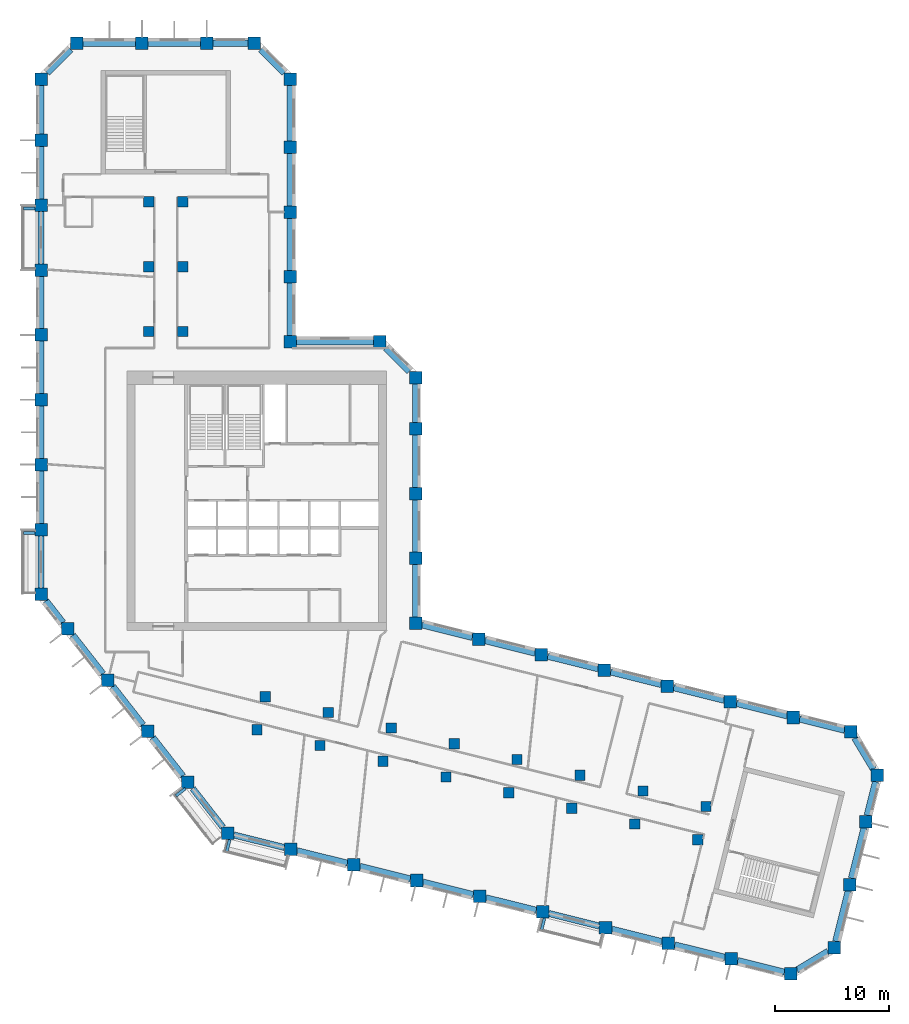
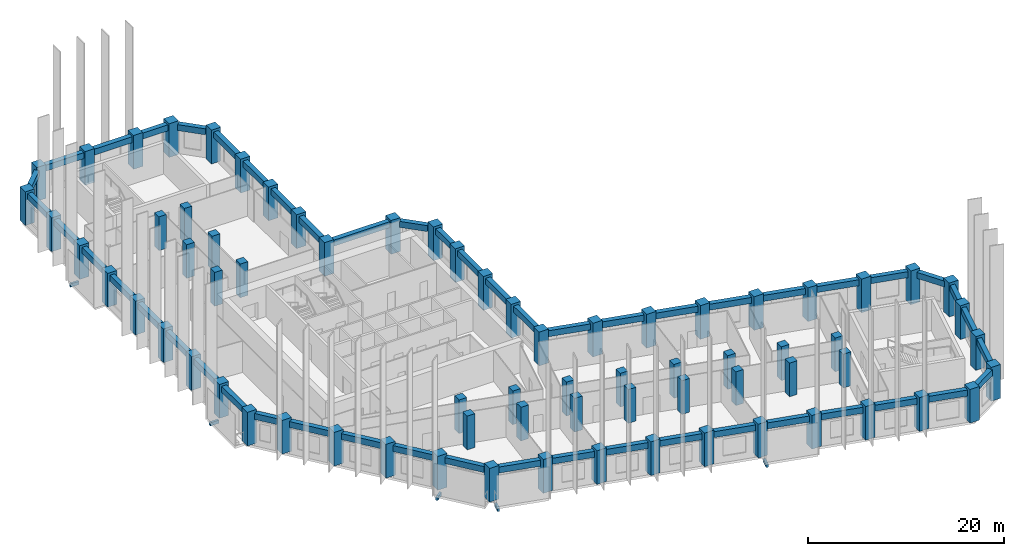
# One storey, part 1 of 10: 71 columns, 54 beams.
"""IFC4 building model written with IfcOpenShell, lengths in metres."""

from ifc_helpers import new_model, si_unit, direction, frame, origin, origin_2d, place, context, subcontext, project, spatial, rectangle, extrude, material, material_profile, profile_set, type_object, element, save


model = new_model("IFC4")

# Units and contexts
model_context = context("Model", 3, precision=1e-05, world=origin(), true_north=direction((0.0, 1.0)))
body_context = subcontext(model_context, "Body", "Model", "MODEL_VIEW")
ifc_project = project(units=[si_unit("LENGTHUNIT", "METRE"), si_unit("AREAUNIT", "SQUARE_METRE"), si_unit("VOLUMEUNIT", "CUBIC_METRE"), si_unit("PLANEANGLEUNIT", "RADIAN"), si_unit("MASSUNIT", "GRAM", prefix="KILO")], contexts=[model_context])

# Site, building, storey
site_placement = place(None, origin())
site = spatial("IfcSite", under=ifc_project, at=site_placement, CompositionType="ELEMENT")
building_placement = place(site_placement, origin())
building = spatial("IfcBuilding", under=site, at=building_placement, Name="Meshkara Civic Tower", CompositionType="ELEMENT")
storey_placement = place(building_placement, frame((0.0, 0.0, 225.60009765625)))
storey = spatial("IfcBuildingStorey", under=building, at=storey_placement, Name="L51", CompositionType="ELEMENT", Elevation=225.60009765625)

# Columns
ifc_material_1 = material(Name="Concrete C60", Category="concrete")
ifc_material_profile_1 = material_profile(ifc_material_1, rectangle(XDim=0.89990234375, YDim=0.89990234375, at=origin_2d()))
ifc_profile_set_1 = profile_set([ifc_material_profile_1], Name="Concrete C60")
column_type_1 = type_object("IfcColumnType", Name="Interior column RC 900x900 C60", PredefinedType="COLUMN", material=ifc_profile_set_1)
for number, where, z_axis, x_axis, name in (
    (1, (9.89990234375, 40.35009765625, 0.0), (0.0, 0.0, 1.0), (1.0, 0.0, 0.0), "Column SA1-04 L51"),
    (2, (9.89990234375, 46.050048828125, 0.0), (0.0, 0.0, 1.0), (1.0, 0.0, 0.0), "Column SA1-05 L51"),
    (3, (9.89990234375, 51.75, 0.0), (0.0, 0.0, 1.0), (1.0, 0.0, 0.0), "Column SA1-06 L51"),
    (4, (12.89990234375, 40.35009765625, 0.0), (0.0, 0.0, 1.0), (1.0, 0.0, 0.0), "Column SA2-04 L51"),
    (5, (12.89990234375, 46.050048828125, 0.0), (0.0, 0.0, 1.0), (1.0, 0.0, 0.0), "Column SA2-05 L51"),
    (6, (12.89990234375, 51.75, 0.0), (0.0, 0.0, 1.0), (1.0, 0.0, 0.0), "Column SA2-06 L51"),
    (7, (19.424072265625, 5.360107421875, 0.0), (0.0, 0.0, 1.0), (1.0, 0.0, 0.0), "Column SB1-00 L51"),
    (8, (24.9541015625, 3.98095703125, 0.0), (0.0, 0.0, 1.0), (1.0, 0.0, 0.0), "Column SB1-01 L51"),
    (9, (30.485107421875, 2.60205078125, 0.0), (0.0, 0.0, 1.0), (1.0, 0.0, 0.0), "Column SB1-02 L51"),
    (10, (36.01611328125, 1.222900390625, 0.0), (0.0, 0.0, 1.0), (1.0, 0.0, 0.0), "Column SB1-03 L51"),
    (11, (41.5458984375, -0.156005859375, 0.0), (0.0, 0.0, 1.0), (1.0, 0.0, 0.0), "Column SB1-04 L51"),
    (12, (47.076904296875, -1.534912109375, 0.0), (0.0, 0.0, 1.0), (1.0, 0.0, 0.0), "Column SB1-05 L51"),
    (13, (52.60791015625, -2.9140625, 0.0), (0.0, 0.0, 1.0), (1.0, 0.0, 0.0), "Column SB1-06 L51"),
    (14, (58.138916015625, -4.2919921875, 0.0), (0.0, 0.0, 1.0), (1.0, 0.0, 0.0), "Column SB1-07 L51"),
    (15, (20.14892578125, 8.27099609375, 0.0), (0.0, 0.0, 1.0), (1.0, 0.0, 0.0), "Column SB2-00 L51"),
    (16, (25.679931640625, 6.89208984375, 0.0), (0.0, 0.0, 1.0), (1.0, 0.0, 0.0), "Column SB2-01 L51"),
    (17, (31.2109375, 5.512939453125, 0.0), (0.0, 0.0, 1.0), (1.0, 0.0, 0.0), "Column SB2-02 L51"),
    (18, (36.741943359375, 4.134033203125, 0.0), (0.0, 0.0, 1.0), (1.0, 0.0, 0.0), "Column SB2-03 L51"),
    (19, (42.27197265625, 2.7548828125, 0.0), (0.0, 0.0, 1.0), (1.0, 0.0, 0.0), "Column SB2-04 L51"),
    (20, (47.802978515625, 1.3759765625, 0.0), (0.0, 0.0, 1.0), (1.0, 0.0, 0.0), "Column SB2-05 L51"),
    (21, (53.333984375, -0.0029296875, 0.0), (0.0, 0.0, 1.0), (1.0, 0.0, 0.0), "Column SB2-06 L51"),
    (22, (58.864013671875, -1.382080078125, 0.0), (0.0, 0.0, 1.0), (1.0, 0.0, 0.0), "Column SB2-07 L51"),
):
    element("IfcColumn", number, at=place(storey_placement, frame(where, z_axis=z_axis, x_axis=x_axis)), inside=storey, type_object=column_type_1, Name=name, PredefinedType="COLUMN", context=body_context, shape_type="SweptSolid", body=[
        extrude(rectangle(XDim=0.89990234375, YDim=0.89990234375, at=origin_2d()), origin(), (0.0, 0.0, 1.0), 4.199951171875),
    ])
ifc_material_2 = material(Name="Concrete C60", Category="concrete")
ifc_material_profile_2 = material_profile(ifc_material_2, rectangle(XDim=1.10009765625, YDim=1.10009765625, at=origin_2d()))
ifc_profile_set_2 = profile_set([ifc_material_profile_2], Name="Concrete C60")
column_type_2 = type_object("IfcColumnType", Name="Perimeter column RC 1100x1100 C60", PredefinedType="COLUMN", material=ifc_profile_set_2)
for number, where, z_axis, x_axis, name in (
    (23, (33.35009765625, 14.718994140625, 0.0), (0.0, 0.0, 1.0), (1.0, 0.0, 0.0), "Column HE00 L51"),
    (24, (33.35009765625, 20.4189453125, 0.0), (0.0, 0.0, 1.0), (1.0, 0.0, 0.0), "Column HE01 L51"),
    (25, (33.35009765625, 26.118896484375, 0.0), (0.0, 0.0, 1.0), (1.0, 0.0, 0.0), "Column HE02 L51"),
    (26, (33.35009765625, 31.819091796875, 0.0), (0.0, 0.0, 1.0), (1.0, 0.0, 0.0), "Column HE03 L51"),
    (27, (33.35009765625, 36.2939453125, 0.0), (0.0, 0.0, 1.0), (1.0, 0.0, 0.0), "Column HEE L51"),
    (28, (30.194091796875, 39.449951171875, 0.0), (0.0, 0.0, 1.0), (1.0, 0.0, 0.0), "Column HCeE L51"),
    (29, (22.35009765625, 39.449951171875, 0.0), (0.0, 0.0, 1.0), (1.0, 0.0, 0.0), "Column HN00 L51"),
    (30, (22.35009765625, 45.14990234375, 0.0), (0.0, 0.0, 1.0), (1.0, 0.0, 0.0), "Column AE01 L51"),
    (31, (22.35009765625, 50.85009765625, 0.0), (0.0, 0.0, 1.0), (1.0, 0.0, 0.0), "Column AE02 L51"),
    (32, (22.35009765625, 56.550048828125, 0.0), (0.0, 0.0, 1.0), (1.0, 0.0, 0.0), "Column AE03 L51"),
    (33, (22.35009765625, 62.513916015625, 0.0), (0.0, 0.0, 1.0), (1.0, 0.0, 0.0), "Column AEEP3 L51"),
    (34, (19.194091796875, 65.669921875, 0.0), (0.0, 0.0, 1.0), (1.0, 0.0, 0.0), "Column ATiEP3 L51"),
    (35, (3.60595703125, 65.669921875, 0.0), (0.0, 0.0, 1.0), (1.0, 0.0, 0.0), "Column AT00-P3 L51"),
    (36, (9.305908203125, 65.669921875, 0.0), (0.0, 0.0, 1.0), (1.0, 0.0, 0.0), "Column AT01-P3 L51"),
    (37, (15.006103515625, 65.669921875, 0.0), (0.0, 0.0, 1.0), (1.0, 0.0, 0.0), "Column AT02-P3 L51"),
    (38, (0.449951171875, 62.513916015625, 0.0), (0.0, 0.0, 1.0), (1.0, 0.0, 0.0), "Column ATo00-P3 L51"),
    (39, (0.449951171875, 17.2548828125, 0.0), (0.0, 0.0, 1.0), (1.0, 0.0, 0.0), "Column AW00 L51"),
    (40, (0.449951171875, 22.955078125, 0.0), (0.0, 0.0, 1.0), (1.0, 0.0, 0.0), "Column AW01 L51"),
    (41, (0.449951171875, 28.655029296875, 0.0), (0.0, 0.0, 1.0), (1.0, 0.0, 0.0), "Column AW02 L51"),
    (42, (0.449951171875, 34.35498046875, 0.0), (0.0, 0.0, 1.0), (1.0, 0.0, 0.0), "Column AW03 L51"),
    (43, (0.449951171875, 40.054931640625, 0.0), (0.0, 0.0, 1.0), (1.0, 0.0, 0.0), "Column AW04 L51"),
    (44, (0.449951171875, 45.7548828125, 0.0), (0.0, 0.0, 1.0), (1.0, 0.0, 0.0), "Column AW05 L51"),
    (45, (0.449951171875, 51.455078125, 0.0), (0.0, 0.0, 1.0), (1.0, 0.0, 0.0), "Column AW06 L51"),
    (46, (0.449951171875, 57.155029296875, 0.0), (0.0, 0.0, 1.0), (1.0, 0.0, 0.0), "Column AW07 L51"),
    (47, (16.85107421875, -3.738037109375, 0.0), (0.0, 0.0, 1.0), (1.0, 0.0, 0.0), "Column BOW00 L51"),
    (48, (13.342041015625, 0.75390625, 0.0), (0.0, 0.0, 1.0), (1.0, 0.0, 0.0), "Column BOW01 L51"),
    (49, (9.8330078125, 5.2451171875, 0.0), (0.0, 0.0, 1.0), (1.0, 0.0, 0.0), "Column BOW02 L51"),
    (50, (6.322998046875, 9.737060546875, 0.0), (0.0, 0.0, 1.0), (1.0, 0.0, 0.0), "Column BOW03 L51"),
    (51, (2.81396484375, 14.22900390625, 0.0), (0.0, 0.0, 1.0), (1.0, 0.0, 0.0), "Column BOW04 L51"),
    (52, (22.382080078125, -5.116943359375, 0.0), (0.0, 0.0, 1.0), (1.0, 0.0, 0.0), "Column BS01 L51"),
    (53, (27.912109375, -6.49609375, 0.0), (0.0, 0.0, 1.0), (1.0, 0.0, 0.0), "Column BS02 L51"),
    (54, (33.443115234375, -7.875, 0.0), (0.0, 0.0, 1.0), (1.0, 0.0, 0.0), "Column BS03 L51"),
    (55, (38.97412109375, -9.2529296875, 0.0), (0.0, 0.0, 1.0), (1.0, 0.0, 0.0), "Column BS04-P1 L51"),
    (56, (44.5048828125, -10.632080078125, 0.0), (0.0, 0.0, 1.0), (1.0, 0.0, 0.0), "Column BS05 L51"),
    (57, (50.034912109375, -12.010986328125, 0.0), (0.0, 0.0, 1.0), (1.0, 0.0, 0.0), "Column BS06 L51"),
    (58, (55.56591796875, -13.389892578125, 0.0), (0.0, 0.0, 1.0), (1.0, 0.0, 0.0), "Column BS07 L51"),
    (59, (61.096923828125, -14.76904296875, 0.0), (0.0, 0.0, 1.0), (1.0, 0.0, 0.0), "Column BS08 L51"),
    (60, (66.2958984375, -16.06494140625, 0.0), (0.0, 0.0, 1.0), (1.0, 0.0, 0.0), "Column BSEP3 L51"),
    (61, (70.1220703125, -13.76611328125, 0.0), (0.0, 0.0, 1.0), (1.0, 0.0, 0.0), "Column BToEP3 L51"),
    (62, (71.5009765625, -8.235107421875, 0.0), (0.0, 0.0, 1.0), (1.0, 0.0, 0.0), "Column BT01-P3 L51"),
    (63, (72.8798828125, -2.705078125, 0.0), (0.0, 0.0, 1.0), (1.0, 0.0, 0.0), "Column BT02-P3 L51"),
    (64, (73.89306640625, 1.35791015625, 0.0), (0.0, 0.0, 1.0), (1.0, 0.0, 0.0), "Column BTEP3 L51"),
    (65, (71.593994140625, 5.18310546875, 0.0), (0.0, 0.0, 1.0), (1.0, 0.0, 0.0), "Column BTi00-P3 L51"),
    (66, (38.881103515625, 13.340087890625, 0.0), (0.0, 0.0, 1.0), (1.0, 0.0, 0.0), "Column BN01 L51"),
    (67, (44.410888671875, 11.9609375, 0.0), (0.0, 0.0, 1.0), (1.0, 0.0, 0.0), "Column BN02 L51"),
    (68, (49.94189453125, 10.58203125, 0.0), (0.0, 0.0, 1.0), (1.0, 0.0, 0.0), "Column BN03 L51"),
    (69, (55.472900390625, 9.202880859375, 0.0), (0.0, 0.0, 1.0), (1.0, 0.0, 0.0), "Column BN04 L51"),
    (70, (61.0029296875, 7.823974609375, 0.0), (0.0, 0.0, 1.0), (1.0, 0.0, 0.0), "Column BN05 L51"),
    (71, (66.533935546875, 6.445068359375, 0.0), (0.0, 0.0, 1.0), (1.0, 0.0, 0.0), "Column BN06 L51"),
):
    element("IfcColumn", number, at=place(storey_placement, frame(where, z_axis=z_axis, x_axis=x_axis)), inside=storey, type_object=column_type_2, Name=name, PredefinedType="COLUMN", context=body_context, shape_type="SweptSolid", body=[
        extrude(rectangle(XDim=1.10009765625, YDim=1.10009765625, at=origin_2d()), origin(), (0.0, 0.0, 1.0), 4.199951171875),
    ])

# Beams
ifc_material_3 = material(Name="Concrete C50", Category="concrete")
ifc_material_profile_3 = material_profile(ifc_material_3, rectangle(XDim=0.25, YDim=0.39990234375, at=origin_2d()))
ifc_profile_set_3 = profile_set([ifc_material_profile_3], Name="Concrete C50")
beam_type_1 = type_object("IfcBeamType", Name="Balcony bracket beam RC 250x400 C50", PredefinedType="BEAM", material=ifc_profile_set_3)
for number, where, z_axis, x_axis, name in (
    (72, (-0.094970703125, 51.155029296875, -0.5), (-1.0, 0.0, 0.0), (0.0, -1.0, 0.0), "Balcony bracket beam"),
    (73, (-0.094970703125, 22.655029296875, -0.5), (-1.0, 0.0, 0.0), (0.0, -1.0, 0.0), "Balcony bracket beam"),
):
    element("IfcBeam", number, at=place(storey_placement, frame(where, z_axis=z_axis, x_axis=x_axis)), inside=storey, type_object=beam_type_1, Name=name, PredefinedType="BEAM", context=body_context, shape_type="SweptSolid", body=[
        extrude(rectangle(XDim=0.25, YDim=0.39990234375, at=origin_2d()), origin(), (0.0, 0.0, 1.0), 1.005126953125),
    ])
beam_1_placement = place(storey_placement, frame((13.12890625, 0.20703125, -0.5), z_axis=(-0.787879244592, -0.615829762143, 0.0), x_axis=(0.615829762143, -0.787879244592, 0.0)))
element("IfcBeam", 74, at=beam_1_placement, inside=storey, type_object=beam_type_1, Name="Balcony bracket beam", PredefinedType="BEAM", context=body_context, shape_type="SweptSolid", body=[
    extrude(rectangle(XDim=0.25, YDim=0.39990234375, at=origin_2d()), origin(), (0.0, 0.0, 1.0), 1.0458984375),
])
beam_2_placement = place(storey_placement, frame((17.02392578125, -4.282958984375, -0.5), z_axis=(-0.241724565462, -0.970344904893, 0.0), x_axis=(0.970344904893, -0.241724565462, 0.0)))
element("IfcBeam", 75, at=beam_2_placement, inside=storey, type_object=beam_type_1, Name="Balcony bracket beam", PredefinedType="BEAM", context=body_context, shape_type="SweptSolid", body=[
    extrude(rectangle(XDim=0.25, YDim=0.39990234375, at=origin_2d()), origin(), (0.0, 0.0, 1.0), 1.0625),
])
beam_3_placement = place(storey_placement, frame((44.677978515625, -11.177001953125, -0.5), z_axis=(-0.241725333206, -0.970344713639, 0.0), x_axis=(0.970344713639, -0.241725333206, 0.0)))
element("IfcBeam", 76, at=beam_3_placement, inside=storey, type_object=beam_type_1, Name="Balcony bracket beam", PredefinedType="BEAM", context=body_context, shape_type="SweptSolid", body=[
    extrude(rectangle(XDim=0.25, YDim=0.39990234375, at=origin_2d()), origin(), (0.0, 0.0, 1.0), 1.0634765625),
])
ifc_material_4 = material(Name="Concrete C60", Category="concrete")
ifc_material_profile_4 = material_profile(ifc_material_4, rectangle(XDim=0.550048828125, YDim=0.75, at=origin_2d()))
ifc_profile_set_4 = profile_set([ifc_material_profile_4], Name="Concrete C60")
beam_type_2 = type_object("IfcBeamType", Name="Spandrel beam RC 550x750 C60", PredefinedType="BEAM", material=ifc_profile_set_4)
beam_4_placement = place(storey_placement, frame((65.989013671875, 6.580810546875, 3.52490234375), z_axis=(-0.970299186733, 0.241908016044, 0.0), x_axis=(-0.241908016044, -0.970299186733, 0.0)))
element("IfcBeam", 77, at=beam_4_placement, inside=storey, type_object=beam_type_2, Name="Spandrel beam BN05-BN06", PredefinedType="BEAM", context=body_context, shape_type="SweptSolid", body=[
    extrude(rectangle(XDim=0.550048828125, YDim=0.75, at=origin_2d()), origin(), (0.0, 0.0, 1.0), 4.576904296875),
])
beam_5_placement = place(storey_placement, frame((60.4580078125, 7.9599609375, 3.52490234375), z_axis=(-0.970286696562, 0.241958108925, 0.0), x_axis=(-0.241958108925, -0.970286696562, 0.0)))
element("IfcBeam", 78, at=beam_5_placement, inside=storey, type_object=beam_type_2, Name="Spandrel beam BN04-BN05", PredefinedType="BEAM", context=body_context, shape_type="SweptSolid", body=[
    extrude(rectangle(XDim=0.550048828125, YDim=0.75, at=origin_2d()), origin(), (0.0, 0.0, 1.0), 4.575927734375),
])
for number, where, z_axis, x_axis, name in (
    (79, (54.927978515625, 9.3388671875, 3.52490234375), (-0.970299186733, 0.241908016044, 0.0), (-0.241908016044, -0.970299186733, 0.0), "Spandrel beam BN03-BN04"),
    (80, (49.39697265625, 10.718017578125, 3.52490234375), (-0.970299186733, 0.241908016044, 0.0), (-0.241908016044, -0.970299186733, 0.0), "Spandrel beam BN02-BN03"),
):
    element("IfcBeam", number, at=place(storey_placement, frame(where, z_axis=z_axis, x_axis=x_axis)), inside=storey, type_object=beam_type_2, Name=name, PredefinedType="BEAM", context=body_context, shape_type="SweptSolid", body=[
        extrude(rectangle(XDim=0.550048828125, YDim=0.75, at=origin_2d()), origin(), (0.0, 0.0, 1.0), 4.576904296875),
    ])
beam_6_placement = place(storey_placement, frame((43.865966796875, 12.096923828125, 3.52490234375), z_axis=(-0.970286696562, 0.241958108925, 0.0), x_axis=(-0.241958108925, -0.970286696562, 0.0)))
element("IfcBeam", 81, at=beam_6_placement, inside=storey, type_object=beam_type_2, Name="Spandrel beam BN01-BN02", PredefinedType="BEAM", context=body_context, shape_type="SweptSolid", body=[
    extrude(rectangle(XDim=0.550048828125, YDim=0.75, at=origin_2d()), origin(), (0.0, 0.0, 1.0), 4.575927734375),
])
beam_7_placement = place(storey_placement, frame((38.3359375, 13.475830078125, 3.52490234375), z_axis=(-0.970299186733, 0.241908016044, 0.0), x_axis=(-0.241908016044, -0.970299186733, 0.0)))
element("IfcBeam", 82, at=beam_7_placement, inside=storey, type_object=beam_type_2, Name="Spandrel beam BN01-HE00", PredefinedType="BEAM", context=body_context, shape_type="SweptSolid", body=[
    extrude(rectangle(XDim=0.550048828125, YDim=0.75, at=origin_2d()), origin(), (0.0, 0.0, 1.0), 4.576904296875),
])
beam_8_placement = place(storey_placement, frame((33.35009765625, 15.263916015625, 3.52490234375), z_axis=(0.0, 1.0, 0.0), x_axis=(-1.0, 0.0, 0.0)))
element("IfcBeam", 83, at=beam_8_placement, inside=storey, type_object=beam_type_2, Name="Spandrel beam HE00-HE01", PredefinedType="BEAM", context=body_context, shape_type="SweptSolid", body=[
    extrude(rectangle(XDim=0.550048828125, YDim=0.75, at=origin_2d()), origin(), (0.0, 0.0, 1.0), 4.610107421875),
])
for number, where, z_axis, x_axis, name in (
    (84, (33.35009765625, 20.964111328125, 3.52490234375), (0.0, 1.0, 0.0), (-1.0, 0.0, 0.0), "Spandrel beam HE01-HE02"),
    (85, (33.35009765625, 26.6640625, 3.52490234375), (0.0, 1.0, 0.0), (-1.0, 0.0, 0.0), "Spandrel beam HE02-HE03"),
):
    element("IfcBeam", number, at=place(storey_placement, frame(where, z_axis=z_axis, x_axis=x_axis)), inside=storey, type_object=beam_type_2, Name=name, PredefinedType="BEAM", context=body_context, shape_type="SweptSolid", body=[
        extrude(rectangle(XDim=0.550048828125, YDim=0.75, at=origin_2d()), origin(), (0.0, 0.0, 1.0), 4.60986328125),
    ])
beam_9_placement = place(storey_placement, frame((33.35009765625, 32.364013671875, 3.52490234375), z_axis=(0.0, 1.0, 0.0), x_axis=(-1.0, 0.0, 0.0)))
element("IfcBeam", 86, at=beam_9_placement, inside=storey, type_object=beam_type_2, Name="Spandrel beam HE03-HEE", PredefinedType="BEAM", context=body_context, shape_type="SweptSolid", body=[
    extrude(rectangle(XDim=0.550048828125, YDim=0.75, at=origin_2d()), origin(), (0.0, 0.0, 1.0), 3.385009765625),
])
beam_10_placement = place(storey_placement, frame((32.803466796875, 36.840576171875, 3.52490234375), z_axis=(-0.707106781187, 0.707106781187, 0.0), x_axis=(-0.707106781187, -0.707106781187, 0.0)))
element("IfcBeam", 87, at=beam_10_placement, inside=storey, type_object=beam_type_2, Name="Spandrel beam HCeE-HEE", PredefinedType="BEAM", context=body_context, shape_type="SweptSolid", body=[
    extrude(rectangle(XDim=0.550048828125, YDim=0.75, at=origin_2d()), origin(), (0.0, 0.0, 1.0), 2.91748046875),
])
beam_11_placement = place(storey_placement, frame((29.64892578125, 39.449951171875, 3.52490234375), z_axis=(-1.0, 0.0, 0.0), x_axis=(0.0, -1.0, 0.0)))
element("IfcBeam", 88, at=beam_11_placement, inside=storey, type_object=beam_type_2, Name="Spandrel beam HCeE-HN00", PredefinedType="BEAM", context=body_context, shape_type="SweptSolid", body=[
    extrude(rectangle(XDim=0.550048828125, YDim=0.75, at=origin_2d()), origin(), (0.0, 0.0, 1.0), 6.75390625),
])
for number, where, z_axis, x_axis, name in (
    (89, (22.35009765625, 39.9951171875, 3.52490234375), (0.0, 1.0, 0.0), (-1.0, 0.0, 0.0), "Spandrel beam AE01-HN00"),
    (90, (22.35009765625, 45.695068359375, 3.52490234375), (0.0, 1.0, 0.0), (-1.0, 0.0, 0.0), "Spandrel beam AE01-AE02"),
    (91, (22.35009765625, 51.39501953125, 3.52490234375), (0.0, 1.0, 0.0), (-1.0, 0.0, 0.0), "Spandrel beam AE02-AE03"),
):
    element("IfcBeam", number, at=place(storey_placement, frame(where, z_axis=z_axis, x_axis=x_axis)), inside=storey, type_object=beam_type_2, Name=name, PredefinedType="BEAM", context=body_context, shape_type="SweptSolid", body=[
        extrude(rectangle(XDim=0.550048828125, YDim=0.75, at=origin_2d()), origin(), (0.0, 0.0, 1.0), 4.60986328125),
    ])
beam_12_placement = place(storey_placement, frame((22.35009765625, 57.094970703125, 3.52490234375), z_axis=(0.0, 1.0, 0.0), x_axis=(-1.0, 0.0, 0.0)))
element("IfcBeam", 92, at=beam_12_placement, inside=storey, type_object=beam_type_2, Name="Spandrel beam AE03-AEEP3", PredefinedType="BEAM", context=body_context, shape_type="SweptSolid", body=[
    extrude(rectangle(XDim=0.550048828125, YDim=0.75, at=origin_2d()), origin(), (0.0, 0.0, 1.0), 4.8740234375),
])
beam_13_placement = place(storey_placement, frame((21.803466796875, 63.060546875, 3.52490234375), z_axis=(-0.707106781187, 0.707106781187, 0.0), x_axis=(-0.707106781187, -0.707106781187, 0.0)))
element("IfcBeam", 93, at=beam_13_placement, inside=storey, type_object=beam_type_2, Name="Spandrel beam AEEP3-ATiEP3", PredefinedType="BEAM", context=body_context, shape_type="SweptSolid", body=[
    extrude(rectangle(XDim=0.550048828125, YDim=0.75, at=origin_2d()), origin(), (0.0, 0.0, 1.0), 2.91748046875),
])
beam_14_placement = place(storey_placement, frame((18.64892578125, 65.669921875, 3.52490234375), z_axis=(-1.0, 0.0, 0.0), x_axis=(0.0, -1.0, 0.0)))
element("IfcBeam", 94, at=beam_14_placement, inside=storey, type_object=beam_type_2, Name="Spandrel beam AT02-P3-ATiEP3", PredefinedType="BEAM", context=body_context, shape_type="SweptSolid", body=[
    extrude(rectangle(XDim=0.550048828125, YDim=0.75, at=origin_2d()), origin(), (0.0, 0.0, 1.0), 3.097900390625),
])
beam_15_placement = place(storey_placement, frame((14.4609375, 65.669921875, 3.52490234375), z_axis=(-1.0, 0.0, 0.0), x_axis=(0.0, -1.0, 0.0)))
element("IfcBeam", 95, at=beam_15_placement, inside=storey, type_object=beam_type_2, Name="Spandrel beam AT01-P3-AT02-P3", PredefinedType="BEAM", context=body_context, shape_type="SweptSolid", body=[
    extrude(rectangle(XDim=0.550048828125, YDim=0.75, at=origin_2d()), origin(), (0.0, 0.0, 1.0), 4.60986328125),
])
beam_16_placement = place(storey_placement, frame((8.760986328125, 65.669921875, 3.52490234375), z_axis=(-1.0, 0.0, 0.0), x_axis=(0.0, -1.0, 0.0)))
element("IfcBeam", 96, at=beam_16_placement, inside=storey, type_object=beam_type_2, Name="Spandrel beam AT00-P3-AT01-P3", PredefinedType="BEAM", context=body_context, shape_type="SweptSolid", body=[
    extrude(rectangle(XDim=0.550048828125, YDim=0.75, at=origin_2d()), origin(), (0.0, 0.0, 1.0), 4.610107421875),
])
beam_17_placement = place(storey_placement, frame((3.0595703125, 65.12353515625, 3.52490234375), z_axis=(-0.707106781187, -0.707106781187, 0.0), x_axis=(0.707106781187, -0.707106781187, 0.0)))
element("IfcBeam", 97, at=beam_17_placement, inside=storey, type_object=beam_type_2, Name="Spandrel beam AT00-P3-ATo00-P3", PredefinedType="BEAM", context=body_context, shape_type="SweptSolid", body=[
    extrude(rectangle(XDim=0.550048828125, YDim=0.75, at=origin_2d()), origin(), (0.0, 0.0, 1.0), 2.91748046875),
])
beam_18_placement = place(storey_placement, frame((0.449951171875, 61.968994140625, 3.52490234375), z_axis=(0.0, -1.0, 0.0), x_axis=(1.0, 0.0, 0.0)))
element("IfcBeam", 98, at=beam_18_placement, inside=storey, type_object=beam_type_2, Name="Spandrel beam ATo00-P3-AW07", PredefinedType="BEAM", context=body_context, shape_type="SweptSolid", body=[
    extrude(rectangle(XDim=0.550048828125, YDim=0.75, at=origin_2d()), origin(), (0.0, 0.0, 1.0), 4.26904296875),
])
beam_19_placement = place(storey_placement, frame((0.449951171875, 56.610107421875, 3.52490234375), z_axis=(0.0, -1.0, 0.0), x_axis=(1.0, 0.0, 0.0)))
element("IfcBeam", 99, at=beam_19_placement, inside=storey, type_object=beam_type_2, Name="Spandrel beam AW06-AW07", PredefinedType="BEAM", context=body_context, shape_type="SweptSolid", body=[
    extrude(rectangle(XDim=0.550048828125, YDim=0.75, at=origin_2d()), origin(), (0.0, 0.0, 1.0), 4.610107421875),
])
for number, where, z_axis, x_axis, name in (
    (100, (0.449951171875, 50.909912109375, 3.52490234375), (0.0, -1.0, 0.0), (1.0, 0.0, 0.0), "Spandrel beam AW05-AW06"),
    (101, (0.449951171875, 45.2099609375, 3.52490234375), (0.0, -1.0, 0.0), (1.0, 0.0, 0.0), "Spandrel beam AW04-AW05"),
):
    element("IfcBeam", number, at=place(storey_placement, frame(where, z_axis=z_axis, x_axis=x_axis)), inside=storey, type_object=beam_type_2, Name=name, PredefinedType="BEAM", context=body_context, shape_type="SweptSolid", body=[
        extrude(rectangle(XDim=0.550048828125, YDim=0.75, at=origin_2d()), origin(), (0.0, 0.0, 1.0), 4.60986328125),
    ])
for number, where, z_axis, x_axis, name in (
    (102, (0.449951171875, 39.510009765625, 3.52490234375), (0.0, -1.0, 0.0), (1.0, 0.0, 0.0), "Spandrel beam AW03-AW04"),
    (103, (0.449951171875, 33.81005859375, 3.52490234375), (0.0, -1.0, 0.0), (1.0, 0.0, 0.0), "Spandrel beam AW02-AW03"),
    (104, (0.449951171875, 28.110107421875, 3.52490234375), (0.0, -1.0, 0.0), (1.0, 0.0, 0.0), "Spandrel beam AW01-AW02"),
):
    element("IfcBeam", number, at=place(storey_placement, frame(where, z_axis=z_axis, x_axis=x_axis)), inside=storey, type_object=beam_type_2, Name=name, PredefinedType="BEAM", context=body_context, shape_type="SweptSolid", body=[
        extrude(rectangle(XDim=0.550048828125, YDim=0.75, at=origin_2d()), origin(), (0.0, 0.0, 1.0), 4.610107421875),
    ])
beam_20_placement = place(storey_placement, frame((0.449951171875, 22.409912109375, 3.52490234375), z_axis=(0.0, -1.0, 0.0), x_axis=(1.0, 0.0, 0.0)))
element("IfcBeam", 105, at=beam_20_placement, inside=storey, type_object=beam_type_2, Name="Spandrel beam AW00-AW01", PredefinedType="BEAM", context=body_context, shape_type="SweptSolid", body=[
    extrude(rectangle(XDim=0.550048828125, YDim=0.75, at=origin_2d()), origin(), (0.0, 0.0, 1.0), 4.60986328125),
])
beam_21_placement = place(storey_placement, frame((0.876708984375, 16.708984375, 3.52490234375), z_axis=(0.615626666257, -0.788037948194, 0.0), x_axis=(0.788037948194, 0.615626666257, 0.0)))
element("IfcBeam", 106, at=beam_21_placement, inside=storey, type_object=beam_type_2, Name="Spandrel beam AW00-BOW04", PredefinedType="BEAM", context=body_context, shape_type="SweptSolid", body=[
    extrude(rectangle(XDim=0.550048828125, YDim=0.75, at=origin_2d()), origin(), (0.0, 0.0, 1.0), 2.4541015625),
])
beam_22_placement = place(storey_placement, frame((3.240478515625, 13.682861328125, 3.52490234375), z_axis=(0.615647336498, -0.788021799865, 0.0), x_axis=(0.788021799865, 0.615647336498, 0.0)))
element("IfcBeam", 107, at=beam_22_placement, inside=storey, type_object=beam_type_2, Name="Spandrel beam BOW03-BOW04", PredefinedType="BEAM", context=body_context, shape_type="SweptSolid", body=[
    extrude(rectangle(XDim=0.550048828125, YDim=0.75, at=origin_2d()), origin(), (0.0, 0.0, 1.0), 4.314208984375),
])
beam_23_placement = place(storey_placement, frame((6.749755859375, 9.19091796875, 3.52490234375), z_axis=(0.615690159083, -0.787988342559, 0.0), x_axis=(0.787988342559, 0.615690159083, 0.0)))
element("IfcBeam", 108, at=beam_23_placement, inside=storey, type_object=beam_type_2, Name="Spandrel beam BOW02-BOW03", PredefinedType="BEAM", context=body_context, shape_type="SweptSolid", body=[
    extrude(rectangle(XDim=0.550048828125, YDim=0.75, at=origin_2d()), origin(), (0.0, 0.0, 1.0), 4.314697265625),
])
beam_24_placement = place(storey_placement, frame((10.259765625, 4.698974609375, 3.52490234375), z_axis=(0.615659419462, -0.788012359819, 0.0), x_axis=(0.788012359819, 0.615659419462, 0.0)))
element("IfcBeam", 109, at=beam_24_placement, inside=storey, type_object=beam_type_2, Name="Spandrel beam BOW01-BOW02", PredefinedType="BEAM", context=body_context, shape_type="SweptSolid", body=[
    extrude(rectangle(XDim=0.550048828125, YDim=0.75, at=origin_2d()), origin(), (0.0, 0.0, 1.0), 4.313232421875),
])
beam_25_placement = place(storey_placement, frame((13.7685546875, 0.2080078125, 3.52490234375), z_axis=(0.615584739249, -0.788070700384, 0.0), x_axis=(0.788070700384, 0.615584739249, 0.0)))
element("IfcBeam", 110, at=beam_25_placement, inside=storey, type_object=beam_type_2, Name="Spandrel beam BOW00-BOW01", PredefinedType="BEAM", context=body_context, shape_type="SweptSolid", body=[
    extrude(rectangle(XDim=0.550048828125, YDim=0.75, at=origin_2d()), origin(), (0.0, 0.0, 1.0), 4.314208984375),
])
beam_26_placement = place(storey_placement, frame((17.39599609375, -3.873779296875, 3.52490234375), z_axis=(0.970286664886, -0.24195823595, 0.0), x_axis=(0.24195823595, 0.970286664886, 0.0)))
element("IfcBeam", 111, at=beam_26_placement, inside=storey, type_object=beam_type_2, Name="Spandrel beam BOW00-BS01", PredefinedType="BEAM", context=body_context, shape_type="SweptSolid", body=[
    extrude(rectangle(XDim=0.550048828125, YDim=0.75, at=origin_2d()), origin(), (0.0, 0.0, 1.0), 4.576904296875),
])
beam_27_placement = place(storey_placement, frame((22.927001953125, -5.2529296875, 3.52490234375), z_axis=(0.970286696562, -0.241958108925, 0.0), x_axis=(0.241958108925, 0.970286696562, 0.0)))
element("IfcBeam", 112, at=beam_27_placement, inside=storey, type_object=beam_type_2, Name="Spandrel beam BS01-BS02", PredefinedType="BEAM", context=body_context, shape_type="SweptSolid", body=[
    extrude(rectangle(XDim=0.550048828125, YDim=0.75, at=origin_2d()), origin(), (0.0, 0.0, 1.0), 4.575927734375),
])
beam_28_placement = place(storey_placement, frame((28.45703125, -6.6318359375, 3.52490234375), z_axis=(0.970299186733, -0.241908016044, 0.0), x_axis=(0.241908016044, 0.970299186733, 0.0)))
element("IfcBeam", 113, at=beam_28_placement, inside=storey, type_object=beam_type_2, Name="Spandrel beam BS02-BS03", PredefinedType="BEAM", context=body_context, shape_type="SweptSolid", body=[
    extrude(rectangle(XDim=0.550048828125, YDim=0.75, at=origin_2d()), origin(), (0.0, 0.0, 1.0), 4.576904296875),
])
beam_29_placement = place(storey_placement, frame((33.988037109375, -8.0107421875, 3.52490234375), z_axis=(0.970336738613, -0.241757344662, 0.0), x_axis=(0.241757344662, 0.970336738613, 0.0)))
element("IfcBeam", 114, at=beam_29_placement, inside=storey, type_object=beam_type_2, Name="Spandrel beam BS03-BS04-P1", PredefinedType="BEAM", context=body_context, shape_type="SweptSolid", body=[
    extrude(rectangle(XDim=0.550048828125, YDim=0.75, at=origin_2d()), origin(), (0.0, 0.0, 1.0), 4.57666015625),
])
beam_30_placement = place(storey_placement, frame((39.51904296875, -9.388916015625, 3.52490234375), z_axis=(0.970299186733, -0.241908016044, 0.0), x_axis=(0.241908016044, 0.970299186733, 0.0)))
element("IfcBeam", 115, at=beam_30_placement, inside=storey, type_object=beam_type_2, Name="Spandrel beam BS04-P1-BS05", PredefinedType="BEAM", context=body_context, shape_type="SweptSolid", body=[
    extrude(rectangle(XDim=0.550048828125, YDim=0.75, at=origin_2d()), origin(), (0.0, 0.0, 1.0), 4.576904296875),
])
beam_31_placement = place(storey_placement, frame((45.050048828125, -10.767822265625, 3.52490234375), z_axis=(0.970286696562, -0.241958108925, 0.0), x_axis=(0.241958108925, 0.970286696562, 0.0)))
element("IfcBeam", 116, at=beam_31_placement, inside=storey, type_object=beam_type_2, Name="Spandrel beam BS05-BS06", PredefinedType="BEAM", context=body_context, shape_type="SweptSolid", body=[
    extrude(rectangle(XDim=0.550048828125, YDim=0.75, at=origin_2d()), origin(), (0.0, 0.0, 1.0), 4.575927734375),
])
for number, where, z_axis, x_axis, name in (
    (117, (50.580078125, -12.14697265625, 3.52490234375), (0.970299186733, -0.241908016044, 0.0), (0.241908016044, 0.970299186733, 0.0), "Spandrel beam BS06-BS07"),
    (118, (56.111083984375, -13.52587890625, 3.52490234375), (0.970299186733, -0.241908016044, 0.0), (0.241908016044, 0.970299186733, 0.0), "Spandrel beam BS07-BS08"),
):
    element("IfcBeam", number, at=place(storey_placement, frame(where, z_axis=z_axis, x_axis=x_axis)), inside=storey, type_object=beam_type_2, Name=name, PredefinedType="BEAM", context=body_context, shape_type="SweptSolid", body=[
        extrude(rectangle(XDim=0.550048828125, YDim=0.75, at=origin_2d()), origin(), (0.0, 0.0, 1.0), 4.576904296875),
    ])
beam_32_placement = place(storey_placement, frame((61.64208984375, -14.90478515625, 3.52490234375), z_axis=(0.970298301424, -0.24191156701, 0.0), x_axis=(0.24191156701, 0.970298301424, 0.0)))
element("IfcBeam", 119, at=beam_32_placement, inside=storey, type_object=beam_type_2, Name="Spandrel beam BS08-BSEP3", PredefinedType="BEAM", context=body_context, shape_type="SweptSolid", body=[
    extrude(rectangle(XDim=0.550048828125, YDim=0.75, at=origin_2d()), origin(), (0.0, 0.0, 1.0), 4.234619140625),
])
beam_33_placement = place(storey_placement, frame((66.841796875, -15.737060546875, 3.52490234375), z_axis=(0.857175401914, 0.51502459199, 0.0), x_axis=(-0.51502459199, 0.857175401914, 0.0)))
element("IfcBeam", 120, at=beam_33_placement, inside=storey, type_object=beam_type_2, Name="Spandrel beam BSEP3-BToEP3", PredefinedType="BEAM", context=body_context, shape_type="SweptSolid", body=[
    extrude(rectangle(XDim=0.550048828125, YDim=0.75, at=origin_2d()), origin(), (0.0, 0.0, 1.0), 3.190185546875),
])
beam_34_placement = place(storey_placement, frame((70.2578125, -13.220947265625, 3.52490234375), z_axis=(0.241908016044, 0.970299186733, 0.0), x_axis=(-0.970299186733, 0.241908016044, 0.0)))
element("IfcBeam", 121, at=beam_34_placement, inside=storey, type_object=beam_type_2, Name="Spandrel beam BT01-P3-BToEP3", PredefinedType="BEAM", context=body_context, shape_type="SweptSolid", body=[
    extrude(rectangle(XDim=0.550048828125, YDim=0.75, at=origin_2d()), origin(), (0.0, 0.0, 1.0), 4.576904296875),
])
beam_35_placement = place(storey_placement, frame((71.636962890625, -7.68994140625, 3.52490234375), z_axis=(0.241958108925, 0.970286696562, 0.0), x_axis=(-0.970286696562, 0.241958108925, 0.0)))
element("IfcBeam", 122, at=beam_35_placement, inside=storey, type_object=beam_type_2, Name="Spandrel beam BT01-P3-BT02-P3", PredefinedType="BEAM", context=body_context, shape_type="SweptSolid", body=[
    extrude(rectangle(XDim=0.550048828125, YDim=0.75, at=origin_2d()), origin(), (0.0, 0.0, 1.0), 4.575927734375),
])
beam_36_placement = place(storey_placement, frame((73.015869140625, -2.159912109375, 3.52490234375), z_axis=(0.24191686251, 0.970296981152, 0.0), x_axis=(-0.970296981152, 0.24191686251, 0.0)))
element("IfcBeam", 123, at=beam_36_placement, inside=storey, type_object=beam_type_2, Name="Spandrel beam BT02-P3-BTEP3", PredefinedType="BEAM", context=body_context, shape_type="SweptSolid", body=[
    extrude(rectangle(XDim=0.550048828125, YDim=0.75, at=origin_2d()), origin(), (0.0, 0.0, 1.0), 3.06396484375),
])
beam_37_placement = place(storey_placement, frame((73.56494140625, 1.90380859375, 3.52490234375), z_axis=(-0.515137320802, 0.857107659934, 0.0), x_axis=(-0.857107659934, -0.515137320802, 0.0)))
element("IfcBeam", 124, at=beam_37_placement, inside=storey, type_object=beam_type_2, Name="Spandrel beam BTEP3-BTi00-P3", PredefinedType="BEAM", context=body_context, shape_type="SweptSolid", body=[
    extrude(rectangle(XDim=0.550048828125, YDim=0.75, at=origin_2d()), origin(), (0.0, 0.0, 1.0), 3.189208984375),
])
beam_38_placement = place(storey_placement, frame((71.048828125, 5.319091796875, 3.52490234375), z_axis=(-0.970282744603, 0.241973956296, 0.0), x_axis=(-0.241973956296, -0.970282744603, 0.0)))
element("IfcBeam", 125, at=beam_38_placement, inside=storey, type_object=beam_type_2, Name="Spandrel beam BN06-BTi00-P3", PredefinedType="BEAM", context=body_context, shape_type="SweptSolid", body=[
    extrude(rectangle(XDim=0.550048828125, YDim=0.75, at=origin_2d()), origin(), (0.0, 0.0, 1.0), 4.09130859375),
])

save(model, "model.ifc")
